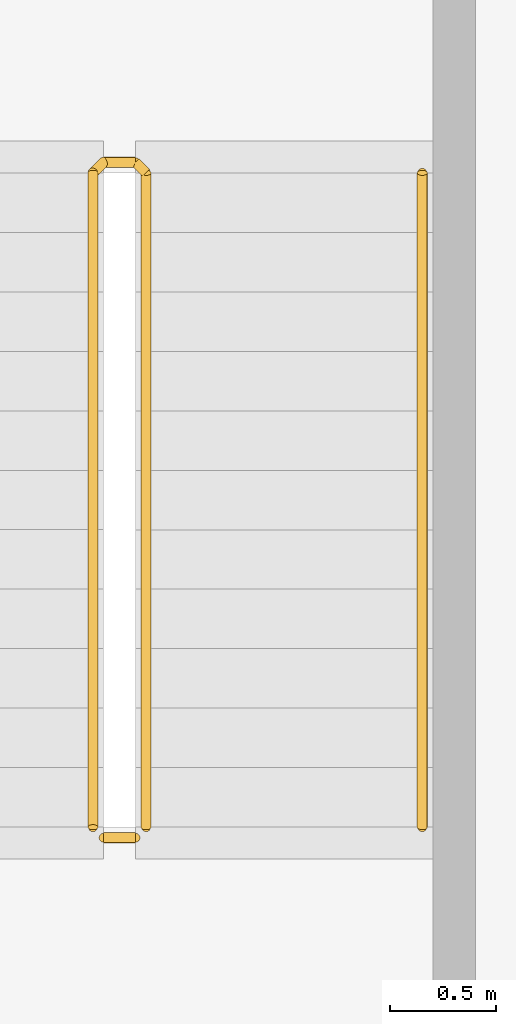
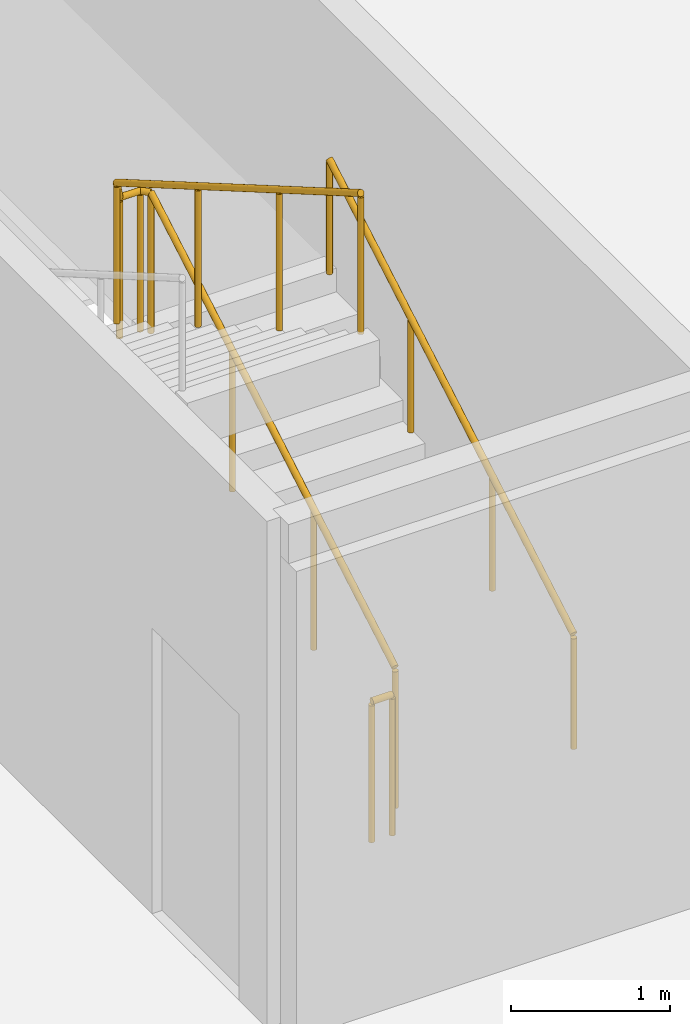
# One storey, part 20 of 21: 3 railings.
"""IFC4 building model written with IfcOpenShell, lengths in metres."""

from ifc_helpers import new_model, si_unit, direction, frame, origin, origin_2d, place, context, subcontext, project, spatial, circle, extrude, material, type_object, element, save


model = new_model("IFC4")

# Units and contexts
model_context = context("Model", 3, precision=1e-05, world=origin(), true_north=direction((0.0, 1.0)))
body_context = subcontext(model_context, "Body", "Model", "MODEL_VIEW")
ifc_project = project(units=[si_unit("LENGTHUNIT", "METRE"), si_unit("AREAUNIT", "SQUARE_METRE"), si_unit("VOLUMEUNIT", "CUBIC_METRE"), si_unit("PLANEANGLEUNIT", "RADIAN"), si_unit("MASSUNIT", "GRAM", prefix="KILO")], contexts=[model_context])

# Site, building, storey
site_placement = place(None, origin())
site = spatial("IfcSite", under=ifc_project, at=site_placement, CompositionType="ELEMENT")
building_placement = place(site_placement, origin())
building = spatial("IfcBuilding", under=site, at=building_placement, Name="Kheshtan School and Residences Tower", CompositionType="ELEMENT")
storey_placement = place(building_placement, frame((0.0, 0.0, 231.800048828125)))
storey = spatial("IfcBuildingStorey", under=building, at=storey_placement, Name="L54", CompositionType="ELEMENT", Elevation=231.800048828125)

# Railings
ifc_material_1 = material(Name="Stainless steel balustrade", Category="steel")
railing_type_1 = type_object("IfcRailingType", Name="Stair guard 1100", PredefinedType="GUARDRAIL", material=ifc_material_1)
railing_1_placement = place(storey_placement, frame((35.0, 80.89990234375, 0.162353515625)))
element("IfcRailing", 1, at=railing_1_placement, inside=storey, type_object=railing_type_1, Name="L54 ST3 stair guard 1", PredefinedType="GUARDRAIL", context=body_context, shape_type="SweptSolid", body=[
    extrude(circle(Radius=0.02392578125, at=origin_2d()), frame((0.0, 0.0, 1.076171875), z_axis=(0.0, 0.864890721111, 0.501960198159), x_axis=(-1.0, 0.0, 0.0)), (0.0, 0.0, 1.0), 3.561279296875),
    extrude(circle(Radius=0.02392578125, at=origin_2d()), frame((0.0, 3.080078125, 2.86376953125), z_axis=(-0.707106781187, 0.707106781187, 0.0), x_axis=(-0.707106781187, -0.707106781187, 0.0)), (0.0, 0.0, 1.0), 0.07080078125),
    extrude(circle(Radius=0.02392578125, at=origin_2d()), frame((-0.050048828125, 3.130126953125, 2.86376953125), z_axis=(-1.0, 0.0, 0.0), x_axis=(0.0, -1.0, 0.0)), (0.0, 0.0, 1.0), 0.14990234375),
    extrude(circle(Radius=0.02392578125, at=origin_2d()), frame((-0.199951171875, 3.130126953125, 2.86376953125), z_axis=(-0.282227285176, -0.282227285176, 0.916894497205), x_axis=(0.707106781187, -0.707106781187, 0.0)), (0.0, 0.0, 1.0), 0.17724609375),
    extrude(circle(Radius=0.02392578125, at=origin_2d()), frame((-0.25, 3.080078125, 3.0263671875), z_axis=(0.0, -0.864920483161, 0.501908913857), x_axis=(1.0, 0.0, 0.0)), (0.0, 0.0, 1.0), 3.56103515625),
    extrude(circle(Radius=0.02099609375, at=origin_2d()), origin(), (0.0, 0.0, 1.0), 1.052001953125),
    extrude(circle(Radius=0.02099609375, at=origin_2d()), frame((0.0, 1.026611328125, 0.595947265625)), (0.0, 0.0, 1.0), 1.052001953125),
    extrude(circle(Radius=0.02099609375, at=origin_2d()), frame((0.0, 2.053466796875, 1.191650390625)), (0.0, 0.0, 1.0), 1.052001953125),
    extrude(circle(Radius=0.02099609375, at=origin_2d()), frame((0.0, 3.080078125, 1.78759765625)), (0.0, 0.0, 1.0), 1.052001953125),
    extrude(circle(Radius=0.02099609375, at=origin_2d()), frame((-0.050048828125, 3.130126953125, 1.78759765625)), (0.0, 0.0, 1.0), 1.052001953125),
    extrude(circle(Radius=0.02099609375, at=origin_2d()), frame((-0.199951171875, 3.130126953125, 1.78759765625)), (0.0, 0.0, 1.0), 1.052001953125),
    extrude(circle(Radius=0.02099609375, at=origin_2d()), frame((-0.25, 3.080078125, 1.9501953125)), (0.0, 0.0, 1.0), 1.052001953125),
    extrude(circle(Radius=0.02099609375, at=origin_2d()), frame((-0.25, 2.053466796875, 2.5458984375)), (0.0, 0.0, 1.0), 1.052001953125),
    extrude(circle(Radius=0.02099609375, at=origin_2d()), frame((-0.25, 1.026611328125, 3.141845703125)), (0.0, 0.0, 1.0), 1.052001953125),
    extrude(circle(Radius=0.02099609375, at=origin_2d()), frame((-0.25, 0.0, 3.737548828125)), (0.0, 0.0, 1.0), 1.052001953125),
])
railing_2_placement = place(storey_placement, frame((34.949951171875, 80.85009765625, 0.0)))
element("IfcRailing", 2, at=railing_2_placement, inside=storey, type_object=railing_type_1, Name="L54 ST3 stair guard 2", PredefinedType="GUARDRAIL", context=body_context, shape_type="SweptSolid", body=[
    extrude(circle(Radius=0.02392578125, at=origin_2d()), frame((0.0, 0.0, 1.076171875), z_axis=(-1.0, 0.0, 0.0), x_axis=(0.0, -1.0, 0.0)), (0.0, 0.0, 1.0), 0.14990234375),
    extrude(circle(Radius=0.02099609375, at=origin_2d()), origin(), (0.0, 0.0, 1.0), 1.052001953125),
    extrude(circle(Radius=0.02099609375, at=origin_2d()), frame((-0.14990234375, 0.0, 0.0)), (0.0, 0.0, 1.0), 1.052001953125),
])
ifc_material_2 = material(Name="Stainless steel handrail", Category="steel")
railing_type_2 = type_object("IfcRailingType", Name="Stair handrail 900", PredefinedType="HANDRAIL", material=ifc_material_2)
railing_3_placement = place(storey_placement, frame((36.300048828125, 80.89990234375, 0.162353515625)))
element("IfcRailing", 3, at=railing_3_placement, inside=storey, type_object=railing_type_2, Name="L54 ST3 stair handrail 1", PredefinedType="HANDRAIL", context=body_context, shape_type="SweptSolid", body=[
    extrude(circle(Radius=0.02392578125, at=origin_2d()), frame((0.0, 0.0, 0.8759765625), z_axis=(0.0, 0.864890721111, 0.501960198159), x_axis=(-1.0, 0.0, 0.0)), (0.0, 0.0, 1.0), 3.561279296875),
    extrude(circle(Radius=0.02099609375, at=origin_2d()), origin(), (0.0, 0.0, 1.0), 0.851806640625),
    extrude(circle(Radius=0.02099609375, at=origin_2d()), frame((0.0, 1.026611328125, 0.595947265625)), (0.0, 0.0, 1.0), 0.851806640625),
    extrude(circle(Radius=0.02099609375, at=origin_2d()), frame((0.0, 2.053466796875, 1.191650390625)), (0.0, 0.0, 1.0), 0.851806640625),
    extrude(circle(Radius=0.02099609375, at=origin_2d()), frame((0.0, 3.080078125, 1.78759765625)), (0.0, 0.0, 1.0), 0.851806640625),
])

save(model, "model.ifc")
